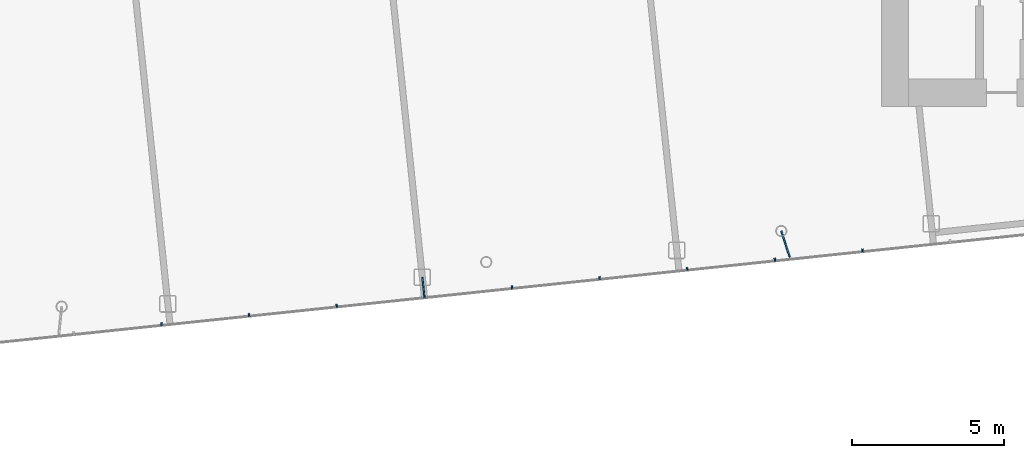
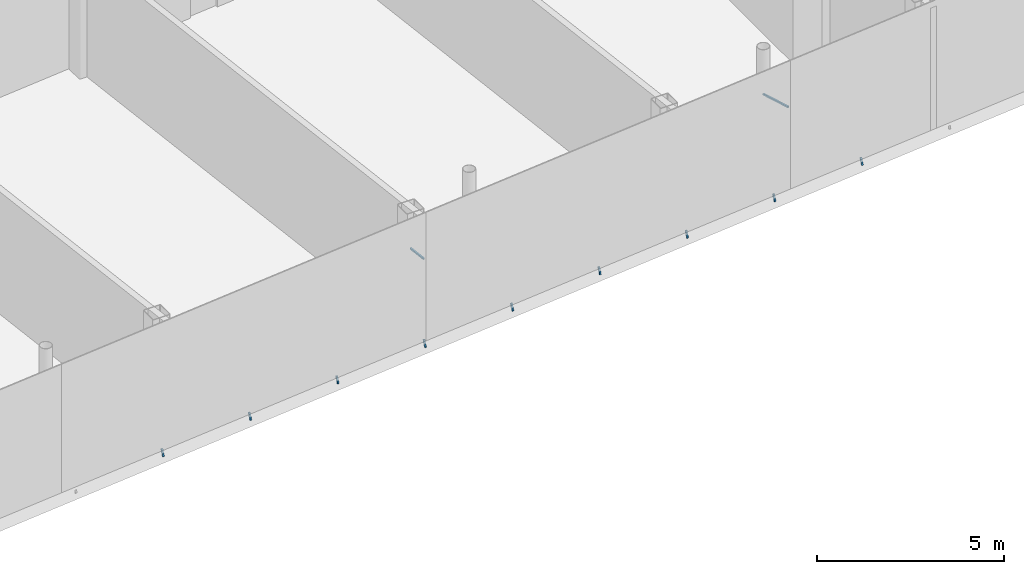
# One storey, part 19 of 28: 11 discrete accessories.
"""IFC4 building model written with IfcOpenShell, lengths in metres."""

from ifc_helpers import new_model, si_unit, direction, frame, origin, origin_2d, place, context, subcontext, project, spatial, rectangle, extrude, material, material_profile, profile_set, type_object, element, save


model = new_model("IFC4")

# Units and contexts
model_context = context("Model", 3, precision=1e-05, world=origin(), true_north=direction((0.0, 1.0)))
body_context = subcontext(model_context, "Body", "Model", "MODEL_VIEW")
ifc_project = project(units=[si_unit("LENGTHUNIT", "METRE"), si_unit("AREAUNIT", "SQUARE_METRE"), si_unit("VOLUMEUNIT", "CUBIC_METRE"), si_unit("PLANEANGLEUNIT", "RADIAN"), si_unit("MASSUNIT", "GRAM", prefix="KILO")], contexts=[model_context])

# Site, building, storey
site_placement = place(None, origin())
site = spatial("IfcSite", under=ifc_project, at=site_placement, CompositionType="ELEMENT")
building_placement = place(site_placement, origin())
building = spatial("IfcBuilding", under=site, at=building_placement, Name="Hakoniwa Tower and Hamabe Station Hall", CompositionType="ELEMENT")
storey_placement = place(building_placement, frame((0.0, 0.0, 280.800048828125)))
storey = spatial("IfcBuildingStorey", under=building, at=storey_placement, Name="L78", CompositionType="ELEMENT", Elevation=280.800048828125)

# Discrete accessories
ifc_material = material(Name="Stainless steel SUS304", Category="steel")
ifc_material_profile = material_profile(ifc_material, rectangle(XDim=0.050048828125, YDim=0.050048828125, at=origin_2d()), Name="CW-4 GLAZING BRACKET 50X50")
ifc_profile_set = profile_set([ifc_material_profile], Name="Stainless steel SUS304")
discrete_accessory_type = type_object("IfcDiscreteAccessoryType", Name="CW-4 GLAZING BRACKET 50X50", PredefinedType="BRACKET", material=ifc_profile_set)
discrete_accessory_1_placement = place(storey_placement, frame((1.798828125, -14.61572265625, 2.63330078125), z_axis=(-0.104455618622, 0.994529548952, 0.0), x_axis=(-0.994529548952, -0.104455618622, 0.0)))
element("IfcDiscreteAccessory", 1, at=discrete_accessory_1_placement, inside=storey, type_object=discrete_accessory_type, Name="Glazing bracket", PredefinedType="BRACKET", context=body_context, shape_type="SweptSolid", body=[
    extrude(rectangle(XDim=0.050048828125, YDim=0.050048828125, at=origin_2d()), origin(), (0.0, 0.0, 1.0), 0.610107421875),
])
discrete_accessory_2_placement = place(storey_placement, frame((13.796142578125, -13.354736328125, 2.63330078125), z_axis=(-0.307618759229, 0.951509694628, 0.0), x_axis=(-0.951509694628, -0.307618759229, 0.0)))
element("IfcDiscreteAccessory", 2, at=discrete_accessory_2_placement, inside=storey, type_object=discrete_accessory_type, Name="Glazing bracket", PredefinedType="BRACKET", context=body_context, shape_type="SweptSolid", body=[
    extrude(rectangle(XDim=0.050048828125, YDim=0.050048828125, at=origin_2d()), origin(), (0.0, 0.0, 1.0), 0.903076171875),
])
for number, where, z_axis, x_axis, name in (
    (3, (-6.830078125, -15.522705078125, 0.0), (0.026203593749, -0.255747074986, -0.966388537448), (0.994792043555, 0.101925414299, 0.0), "Glazing bracket"),
    (4, (-3.953857421875, -15.22021484375, 0.0), (0.027243657589, -0.256719081131, -0.966102011438), (0.994416132921, 0.10552987533, 0.0), "Glazing bracket"),
    (5, (-1.077392578125, -14.91796875, 0.0), (0.027243657589, -0.256719081131, -0.966102011438), (0.994416132921, 0.10552987533, 0.0), "Glazing bracket"),
    (6, (1.799072265625, -14.61572265625, 0.0), (0.026203593749, -0.255747074986, -0.966388537448), (0.994792043555, 0.101925414299, 0.0), "Glazing bracket"),
    (7, (4.67529296875, -14.3134765625, 0.0), (0.027250974089, -0.255739910677, -0.966361465756), (0.994370656274, 0.105957528947, 0.0), "Glazing bracket"),
    (8, (7.5517578125, -14.010986328125, 0.0), (0.027243657589, -0.256719081131, -0.966102011438), (0.994416132921, 0.10552987533, 0.0), "Glazing bracket"),
    (9, (10.42822265625, -13.708740234375, 0.0), (0.026203593749, -0.255747074986, -0.966388537448), (0.994792043555, 0.101925414299, 0.0), "Glazing bracket"),
    (10, (13.304443359375, -13.406494140625, 0.0), (0.027250974089, -0.255739910677, -0.966361465756), (0.994370656274, 0.105957528947, 0.0), "Glazing bracket"),
    (11, (16.180908203125, -13.10400390625, 0.0), (0.027243657589, -0.256719081131, -0.966102011438), (0.994416132921, 0.10552987533, 0.0), "Glazing bracket"),
):
    element("IfcDiscreteAccessory", number, at=place(storey_placement, frame(where, z_axis=z_axis, x_axis=x_axis)), inside=storey, type_object=discrete_accessory_type, Name=name, PredefinedType="BRACKET", context=body_context, shape_type="SweptSolid", body=[
        extrude(rectangle(XDim=0.050048828125, YDim=0.050048828125, at=origin_2d()), origin(), (0.0, 0.0, 1.0), 0.23291015625),
    ])

save(model, "model.ifc")
